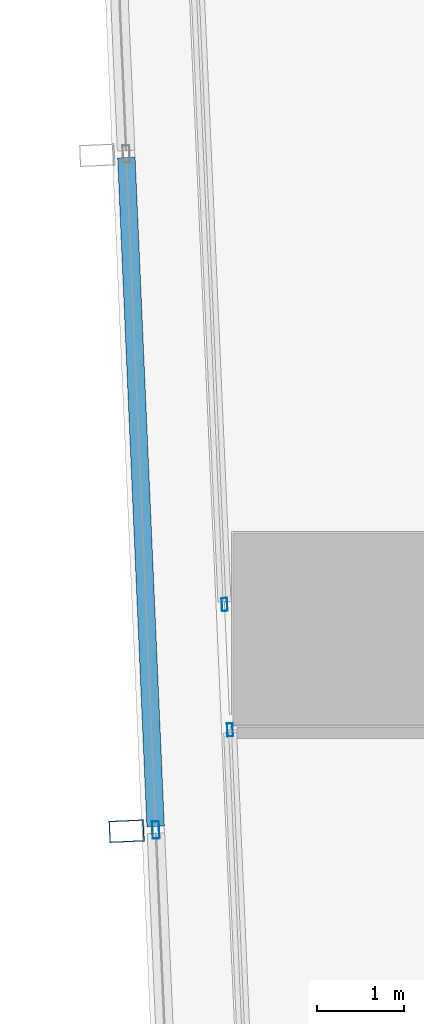
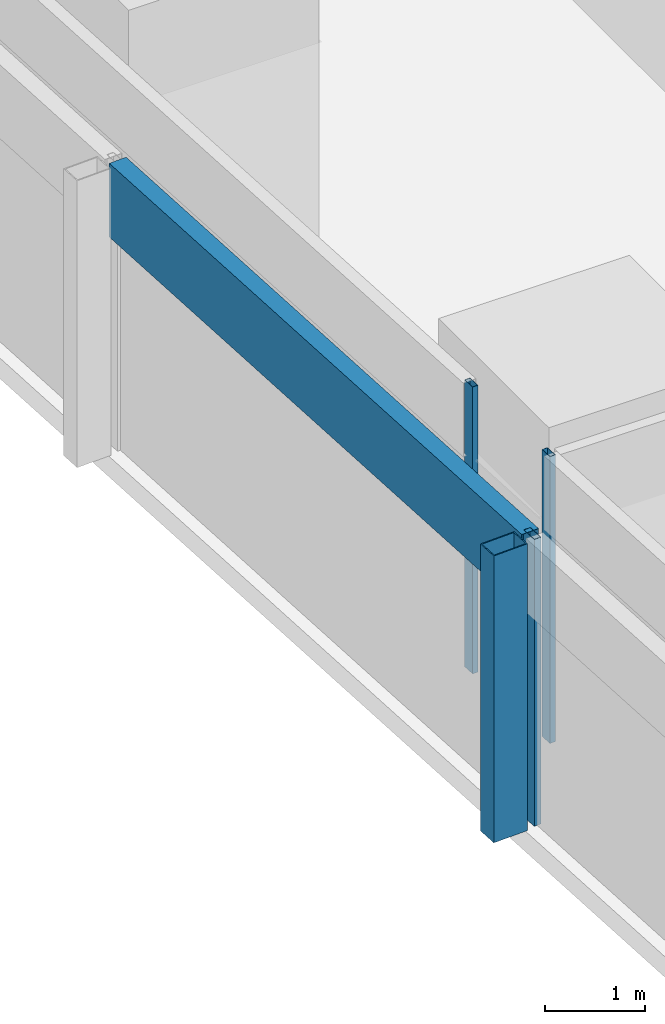
# One storey, part 4 of 44: 5 members, 3 elements without a shape of their own.
"""IFC4 building model written with IfcOpenShell, lengths in metres."""

from ifc_helpers import new_model, si_unit, direction, frame, origin, origin_2d, place, context, subcontext, project, spatial, hollow_rectangle, extrude, material, material_profile, profile_set, type_object, element, aggregate, save


model = new_model("IFC4")

# Units and contexts
model_context = context("Model", 3, precision=1e-05, world=origin(), true_north=direction((0.0, 1.0)))
body_context = subcontext(model_context, "Body", "Model", "MODEL_VIEW")
ifc_project = project(units=[si_unit("LENGTHUNIT", "METRE"), si_unit("AREAUNIT", "SQUARE_METRE"), si_unit("VOLUMEUNIT", "CUBIC_METRE"), si_unit("PLANEANGLEUNIT", "RADIAN"), si_unit("MASSUNIT", "GRAM", prefix="KILO")], contexts=[model_context])

# Site, building, storey
site_placement = place(None, origin())
site = spatial("IfcSite", under=ifc_project, at=site_placement, CompositionType="ELEMENT")
building_placement = place(site_placement, origin())
building = spatial("IfcBuilding", under=site, at=building_placement, Name="Rekha Terrace Tower", CompositionType="ELEMENT")
storey_placement = place(building_placement, frame((0.0, 0.0, 51.64990234375)))
storey = spatial("IfcBuildingStorey", under=building, at=storey_placement, Name="L12", CompositionType="ELEMENT", Elevation=51.64990234375)

# Curtain wall, member
ifc_material_1 = material(Name="Aluminium framing", Category="aluminium")
curtain_wall_type_1 = type_object("IfcCurtainWallType", Name="CW2 double skin outer glazing", PredefinedType="USERDEFINED", material=ifc_material_1)
curtain_wall_1_placement = place(storey_placement, origin())
curtain_wall_1 = element("IfcCurtainWall", 1, at=curtain_wall_1_placement, inside=storey, type_object=curtain_wall_type_1, Name="CW2 double skin outer glazing", ObjectType="DOUBLE SKIN OUTER GLAZING", PredefinedType="USERDEFINED")
ifc_material_2 = material(Name="Steel S355 with fluorocarbon finish", Category="steel")
ifc_material_profile_1 = material_profile(ifc_material_2, hollow_rectangle(XDim=0.25, YDim=0.39990234375, WallThickness=0.012451171875, at=origin_2d()), Name="RHS400x250x12.5")
ifc_profile_set_1 = profile_set([ifc_material_profile_1], Name="Steel S355 with fluorocarbon finish")
member_type_1 = type_object("IfcMemberType", Name="BL1 facade blade RHS 400 x 250", PredefinedType="USERDEFINED", material=ifc_profile_set_1)
member_1_placement = place(storey_placement, frame((6.080078125, 14.482421875, 0.0), z_axis=(0.0, 0.0, 1.0), x_axis=(0.04368215933, -0.999045478923, 0.0)))
member_1 = element("IfcMember", 2, at=member_1_placement, type_object=member_type_1, Name="Facade blade", ObjectType="FACADE BLADE", PredefinedType="USERDEFINED", context=body_context, shape_type="SweptSolid", body=[
    extrude(hollow_rectangle(XDim=0.25, YDim=0.39990234375, WallThickness=0.012451171875, at=origin_2d()), origin(), (0.0, 0.0, 1.0), 3.5),
])

curtain_wall_type_2 = type_object("IfcCurtainWallType", Name="CW1 double skin inner glazing", PredefinedType="USERDEFINED", material=ifc_material_1)
curtain_wall_2_placement = place(storey_placement, origin())
curtain_wall_2 = element("IfcCurtainWall", 3, at=curtain_wall_2_placement, inside=storey, type_object=curtain_wall_type_2, Name="CW1 double skin inner glazing", ObjectType="DOUBLE SKIN INNER GLAZING", PredefinedType="USERDEFINED")
ifc_material_3 = material(Name="Aluminium mullion section", Category="aluminium")
ifc_material_profile_2 = material_profile(ifc_material_3, hollow_rectangle(XDim=0.06494140625, YDim=0.14990234375, WallThickness=0.00390625, at=origin_2d()), Name="AL RHS 65x150")
ifc_profile_set_2 = profile_set([ifc_material_profile_2], Name="Aluminium mullion section")
member_type_2 = type_object("IfcMemberType", Name="CW1 mullion RHS 65 x 150", PredefinedType="MULLION", material=ifc_profile_set_2)
member_2_placement = place(storey_placement, frame((7.202880859375, 17.07958984375, 0.0), z_axis=(0.0, 0.0, 1.0), x_axis=(0.999045462133, 0.043682543337, 0.0)))
member_2 = element("IfcMember", 4, at=member_2_placement, type_object=member_type_2, Name="CW1 mullion 4", PredefinedType="MULLION", context=body_context, shape_type="SweptSolid", body=[
    extrude(hollow_rectangle(XDim=0.06494140625, YDim=0.14990234375, WallThickness=0.00390625, at=origin_2d()), origin(), (0.0, 0.0, 1.0), 3.5),
])
aggregate(curtain_wall_2, [member_2])

curtain_wall_3_placement = place(storey_placement, origin())
curtain_wall_3 = element("IfcCurtainWall", 5, at=curtain_wall_3_placement, inside=storey, type_object=curtain_wall_type_2, Name="CW1 double skin inner glazing", ObjectType="DOUBLE SKIN INNER GLAZING", PredefinedType="USERDEFINED")
member_3_placement = place(storey_placement, frame((7.265625, 15.643310546875, 0.0), z_axis=(0.0, 0.0, 1.0), x_axis=(0.999045462129, 0.043682543424, 0.0)))
member_3 = element("IfcMember", 6, at=member_3_placement, type_object=member_type_2, Name="CW1 mullion 1", PredefinedType="MULLION", context=body_context, shape_type="SweptSolid", body=[
    extrude(hollow_rectangle(XDim=0.06494140625, YDim=0.14990234375, WallThickness=0.00390625, at=origin_2d()), origin(), (0.0, 0.0, 1.0), 3.5),
])
aggregate(curtain_wall_3, [member_3])

# Member
ifc_material_profile_3 = material_profile(ifc_material_3, hollow_rectangle(XDim=0.080078125, YDim=0.199951171875, WallThickness=0.00390625, at=origin_2d()), Name="AL RHS 80x200")
ifc_profile_set_3 = profile_set([ifc_material_profile_3], Name="Aluminium mullion section")
member_type_3 = type_object("IfcMemberType", Name="CW2 mullion RHS 80 x 200", PredefinedType="MULLION", material=ifc_profile_set_3)
member_4_placement = place(storey_placement, frame((6.414794921875, 14.4970703125, 0.0), z_axis=(0.0, 0.0, 1.0), x_axis=(0.999045462131, 0.043682543372, 0.0)))
member_4 = element("IfcMember", 7, at=member_4_placement, type_object=member_type_3, Name="CW2 mullion 5", PredefinedType="MULLION", context=body_context, shape_type="SweptSolid", body=[
    extrude(hollow_rectangle(XDim=0.080078125, YDim=0.199951171875, WallThickness=0.00390625, at=origin_2d()), origin(), (0.0, 0.0, 1.0), 3.5),
])

ifc_material_4 = material(Name="Insulated aluminium spandrel box", Category="aluminium")
ifc_material_profile_4 = material_profile(ifc_material_4, hollow_rectangle(XDim=0.199951171875, YDim=0.89990234375, WallThickness=0.0029296875, at=origin_2d()), Name="AL SPANDREL BOX 200x900")
ifc_profile_set_4 = profile_set([ifc_material_profile_4], Name="Insulated aluminium spandrel box")
member_type_4 = type_object("IfcMemberType", Name="CW2 spandrel transom 200 x 900", PredefinedType="USERDEFINED", material=ifc_profile_set_4)
member_5_placement = place(storey_placement, frame((6.077880859375, 22.201416015625, 3.050048828125), z_axis=(0.043694095051, -0.999044956975, 0.0), x_axis=(0.999044956975, 0.043694095051, 0.0)))
member_5 = element("IfcMember", 8, at=member_5_placement, type_object=member_type_4, Name="CW2 spandrel transom 4", ObjectType="TRANSOM", PredefinedType="USERDEFINED", context=body_context, shape_type="SweptSolid", body=[
    extrude(hollow_rectangle(XDim=0.199951171875, YDim=0.89990234375, WallThickness=0.0029296875, at=origin_2d()), origin(), (0.0, 0.0, 1.0), 7.671630859375),
])

aggregate(curtain_wall_1, [member_4, member_5, member_1])

save(model, "model.ifc")
